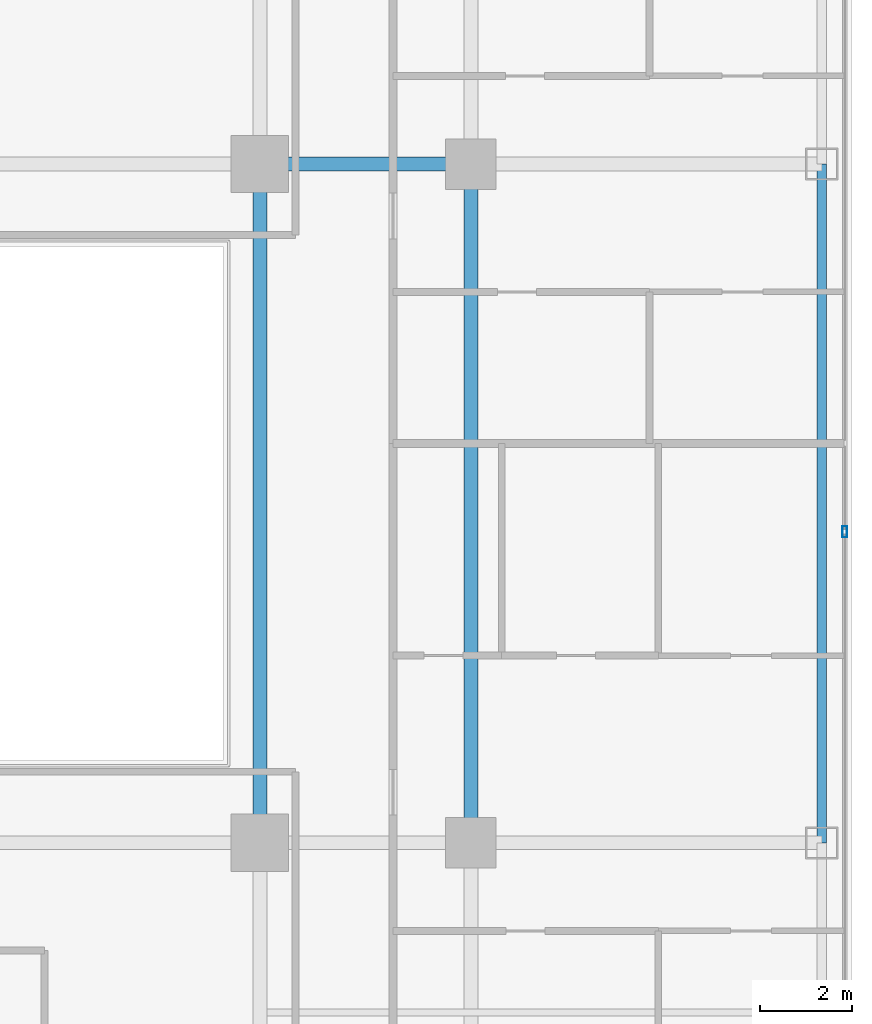
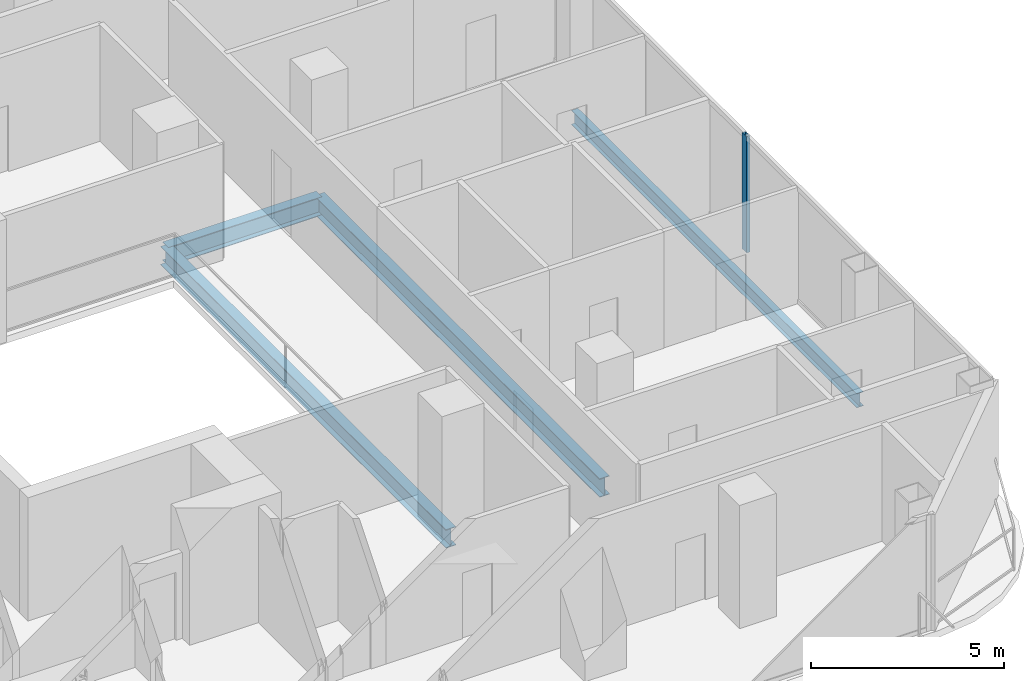
# One storey, part 10 of 27: 4 beams, 1 member, 1 element without a shape of its own.
"""IFC4 building model written with IfcOpenShell, lengths in metres."""

from ifc_helpers import new_model, si_unit, direction, frame, origin, origin_2d, place, context, subcontext, project, spatial, hollow_rectangle, i_section, extrude, material, layer, layer_set, material_profile, profile_set, type_object, element, aggregate, save


model = new_model("IFC4")

# Units and contexts
model_context = context("Model", 3, precision=1e-05, world=origin(), true_north=direction((0.0, 1.0)))
body_context = subcontext(model_context, "Body", "Model", "MODEL_VIEW")
ifc_project = project(units=[si_unit("LENGTHUNIT", "METRE"), si_unit("AREAUNIT", "SQUARE_METRE"), si_unit("VOLUMEUNIT", "CUBIC_METRE"), si_unit("PLANEANGLEUNIT", "RADIAN"), si_unit("MASSUNIT", "GRAM", prefix="KILO")], contexts=[model_context])

# Site, building, storey
site_placement = place(None, origin())
site = spatial("IfcSite", under=ifc_project, at=site_placement, CompositionType="ELEMENT")
building_placement = place(site_placement, origin())
building = spatial("IfcBuilding", under=site, at=building_placement, Name="Khorvyn Point Tower", CompositionType="ELEMENT")
storey_placement = place(building_placement, frame((0.0, 0.0, 129.0)))
storey = spatial("IfcBuildingStorey", under=building, at=storey_placement, Name="L32", CompositionType="ELEMENT", Elevation=129.0)

# Curtain wall, member
ifc_material_1 = material(Name="Anodised aluminium 6063-T6 and laminated Low-E glass", Category="aluminium")
ifc_layer = layer(ifc_material_1, 0.18994140625)
ifc_layer_set = layer_set([ifc_layer], Name="Stick-Built Acoustic Curtain Wall CW-SYS-03")
curtain_wall_type = type_object("IfcCurtainWallType", Name="Stick-Built Acoustic Curtain Wall CW-SYS-03", PredefinedType="NOTDEFINED", material=ifc_layer_set)
curtain_wall_placement = place(storey_placement, origin())
curtain_wall = element("IfcCurtainWall", 1, at=curtain_wall_placement, inside=storey, type_object=curtain_wall_type, Name="Curtain Wall", PredefinedType="NOTDEFINED")
ifc_material_2 = material(Name="Anodised aluminium 6063-T6", Category="aluminium")
ifc_material_profile_1 = material_profile(ifc_material_2, hollow_rectangle(XDim=0.10009765625, YDim=0.239990234375, WallThickness=0.0048828125, at=origin_2d()))
ifc_profile_set_1 = profile_set([ifc_material_profile_1], Name="Anodised aluminium 6063-T6 ALU-MUL-100x240")
member_type = type_object("IfcMemberType", Name="Anodised Aluminium 6063-T6 Mullion ALU-MUL-100x240", PredefinedType="MULLION", material=ifc_profile_set_1)
member_placement = place(storey_placement, frame((27.550048828125, -0.61669921875, 0.0), z_axis=(0.0, 0.0, 1.0), x_axis=(1.0, 0.0, 0.0)))
member = element("IfcMember", 2, at=member_placement, type_object=member_type, Name="Transom", PredefinedType="MULLION", context=body_context, shape_type="SweptSolid", body=[
    extrude(hollow_rectangle(XDim=0.10009765625, YDim=0.239990234375, WallThickness=0.0048828125, at=origin_2d()), origin(), (0.0, 0.0, 1.0), 3.679931640625),
])
aggregate(curtain_wall, [member])

# Beams
ifc_material_3 = material(Name="Steel S355", Category="steel")
ifc_material_profile_2 = material_profile(ifc_material_3, i_section(OverallWidth=0.300048828125, OverallDepth=0.587890625, WebThickness=0.011962890625, FlangeThickness=0.02001953125, at=origin_2d()))
ifc_profile_set_2 = profile_set([ifc_material_profile_2], Name="Steel S355 H588x300x12x20")
beam_type_1 = type_object("IfcBeamType", Name="Steel S355 Beam H588x300x12x20", PredefinedType="BEAM", material=ifc_profile_set_2)
beam_1_placement = place(storey_placement, frame((14.800048828125, 7.39990234375, -0.513916015625), z_axis=(1.0, 0.0, 0.0), x_axis=(0.0, 1.0, 0.0)))
element("IfcBeam", 3, at=beam_1_placement, inside=storey, type_object=beam_type_1, Name="Beam", PredefinedType="BEAM", context=body_context, shape_type="SweptSolid", body=[
    extrude(i_section(OverallWidth=0.300048828125, OverallDepth=0.587890625, WebThickness=0.011962890625, FlangeThickness=0.02001953125, at=origin_2d()), origin(), (0.0, 0.0, 1.0), 4.599853515625),
])
for number, where, z_axis, x_axis, name in (
    (4, (14.800048828125, -7.39990234375, -0.513916015625), (0.0, 1.0, 0.0), (-1.0, 0.0, 0.0), "Beam"),
    (5, (19.39990234375, -7.39990234375, -0.513916015625), (0.0, 1.0, 0.0), (-1.0, 0.0, 0.0), "Beam"),
):
    element("IfcBeam", number, at=place(storey_placement, frame(where, z_axis=z_axis, x_axis=x_axis)), inside=storey, type_object=beam_type_1, Name=name, PredefinedType="BEAM", context=body_context, shape_type="SweptSolid", body=[
        extrude(i_section(OverallWidth=0.300048828125, OverallDepth=0.587890625, WebThickness=0.011962890625, FlangeThickness=0.02001953125, at=origin_2d()), origin(), (0.0, 0.0, 1.0), 14.7998046875),
    ])
ifc_material_profile_3 = material_profile(ifc_material_3, i_section(OverallWidth=0.199951171875, OverallDepth=0.449951171875, WebThickness=0.009033203125, FlangeThickness=0.013916015625, at=origin_2d()))
ifc_profile_set_3 = profile_set([ifc_material_profile_3], Name="Steel S355 H450x200x9x14")
beam_type_2 = type_object("IfcBeamType", Name="Steel S355 Spandrel H450x200x9x14", PredefinedType="SPANDREL", material=ifc_profile_set_3)
beam_2_placement = place(storey_placement, frame((27.050048828125, -7.39990234375, -0.445068359375), z_axis=(0.0, 1.0, 0.0), x_axis=(-1.0, 0.0, 0.0)))
element("IfcBeam", 6, at=beam_2_placement, inside=storey, type_object=beam_type_2, Name="Beam", PredefinedType="SPANDREL", context=body_context, shape_type="SweptSolid", body=[
    extrude(i_section(OverallWidth=0.199951171875, OverallDepth=0.449951171875, WebThickness=0.009033203125, FlangeThickness=0.013916015625, at=origin_2d()), origin(), (0.0, 0.0, 1.0), 14.7998046875),
])

save(model, "model.ifc")
